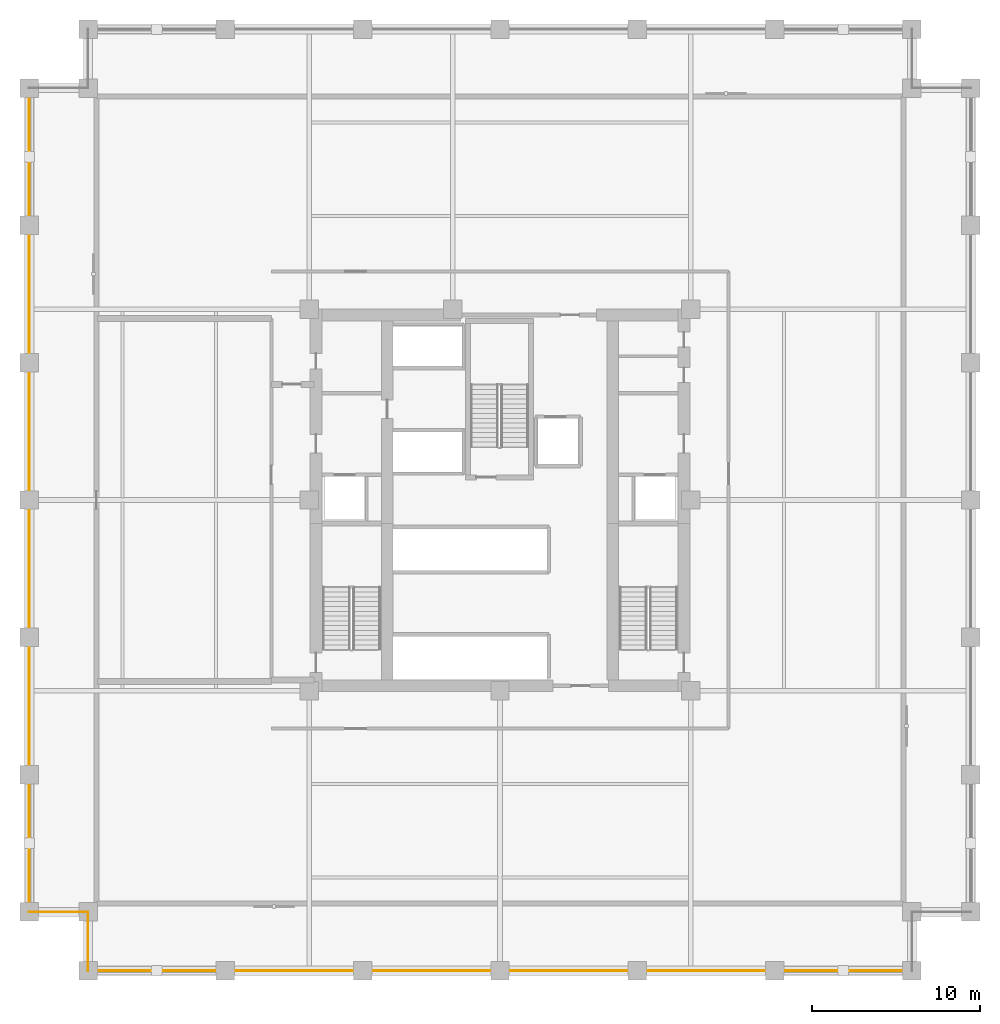
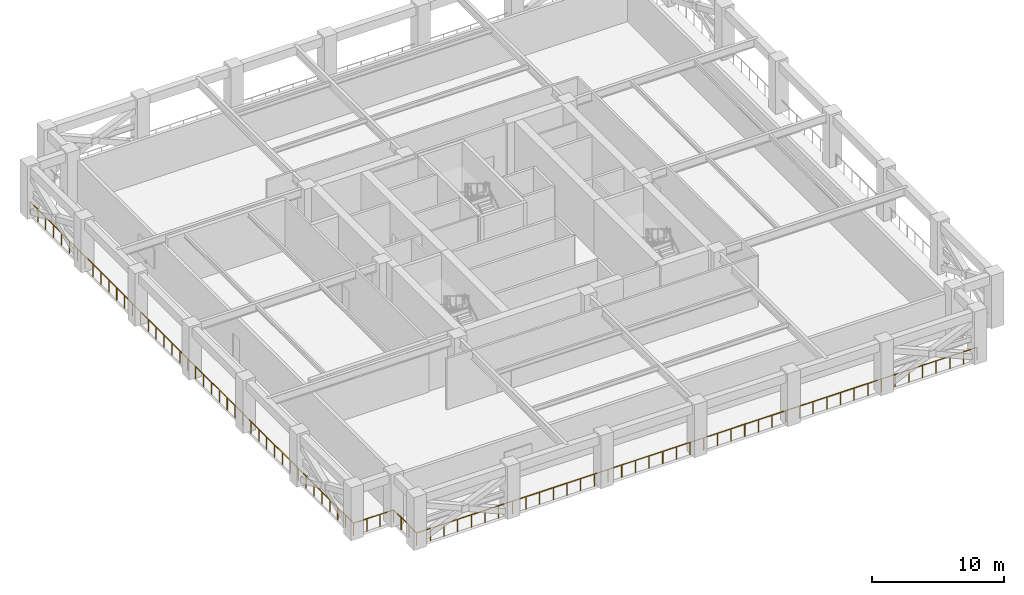
# One storey, part 6 of 11: 4 railings.
"""IFC4 building model written with IfcOpenShell, lengths in metres."""

from ifc_helpers import new_model, si_unit, direction, frame, origin, origin_2d, place, context, subcontext, project, spatial, circle, extrude, material, type_object, element, save


model = new_model("IFC4")

# Units and contexts
model_context = context("Model", 3, precision=1e-05, world=origin(), true_north=direction((0.0, 1.0)))
body_context = subcontext(model_context, "Body", "Model", "MODEL_VIEW")
ifc_project = project(units=[si_unit("LENGTHUNIT", "METRE"), si_unit("AREAUNIT", "SQUARE_METRE"), si_unit("VOLUMEUNIT", "CUBIC_METRE"), si_unit("PLANEANGLEUNIT", "RADIAN"), si_unit("MASSUNIT", "GRAM", prefix="KILO")], contexts=[model_context])

# Site, building, storey
site_placement = place(None, origin())
site = spatial("IfcSite", under=ifc_project, at=site_placement, CompositionType="ELEMENT")
building_placement = place(site_placement, origin())
building = spatial("IfcBuilding", under=site, at=building_placement, Name="Nhamokura Convention Tower", CompositionType="ELEMENT")
storey_placement = place(building_placement, frame((0.0, 0.0, 77.35009765625)))
storey = spatial("IfcBuildingStorey", under=building, at=storey_placement, Name="L18", CompositionType="ELEMENT", Elevation=77.35009765625)

# Railings
ifc_material = material(Name="Anodised bronze stainless steel", Category="steel")
railing_type = type_object("IfcRailingType", Name="TerraceGuardrail_1150", PredefinedType="GUARDRAIL", material=ifc_material)
railing_1_placement = place(storey_placement, frame((7.5, 4.0, 0.0)))
element("IfcRailing", 1, at=railing_1_placement, inside=storey, type_object=railing_type, Name="L18 Perimeter Guardrail 01", PredefinedType="GUARDRAIL", context=body_context, shape_type="SweptSolid", body=[
    extrude(circle(Radius=0.02392578125, at=origin_2d()), frame((0.0, 0.0, 1.1259765625), z_axis=(1.0, 0.0, 0.0), x_axis=(0.0, 1.0, 0.0)), (0.0, 0.0, 1.0), 49.0),
    extrude(circle(Radius=0.02099609375, at=origin_2d()), origin(), (0.0, 0.0, 1.0), 1.101806640625),
    extrude(circle(Radius=0.02099609375, at=origin_2d()), frame((1.195068359375, 0.0, 0.0)), (0.0, 0.0, 1.0), 1.101806640625),
    extrude(circle(Radius=0.02099609375, at=origin_2d()), frame((2.39013671875, 0.0, 0.0)), (0.0, 0.0, 1.0), 1.101806640625),
    extrude(circle(Radius=0.02099609375, at=origin_2d()), frame((3.58544921875, 0.0, 0.0)), (0.0, 0.0, 1.0), 1.101806640625),
    extrude(circle(Radius=0.02099609375, at=origin_2d()), frame((4.780517578125, 0.0, 0.0)), (0.0, 0.0, 1.0), 1.101806640625),
    extrude(circle(Radius=0.02099609375, at=origin_2d()), frame((5.9755859375, 0.0, 0.0)), (0.0, 0.0, 1.0), 1.101806640625),
    extrude(circle(Radius=0.02099609375, at=origin_2d()), frame((7.170654296875, 0.0, 0.0)), (0.0, 0.0, 1.0), 1.101806640625),
    extrude(circle(Radius=0.02099609375, at=origin_2d()), frame((8.365966796875, 0.0, 0.0)), (0.0, 0.0, 1.0), 1.101806640625),
    extrude(circle(Radius=0.02099609375, at=origin_2d()), frame((9.56103515625, 0.0, 0.0)), (0.0, 0.0, 1.0), 1.101806640625),
    extrude(circle(Radius=0.02099609375, at=origin_2d()), frame((10.756103515625, 0.0, 0.0)), (0.0, 0.0, 1.0), 1.101806640625),
    extrude(circle(Radius=0.02099609375, at=origin_2d()), frame((11.951171875, 0.0, 0.0)), (0.0, 0.0, 1.0), 1.101806640625),
    extrude(circle(Radius=0.02099609375, at=origin_2d()), frame((13.146240234375, 0.0, 0.0)), (0.0, 0.0, 1.0), 1.101806640625),
    extrude(circle(Radius=0.02099609375, at=origin_2d()), frame((14.341552734375, 0.0, 0.0)), (0.0, 0.0, 1.0), 1.101806640625),
    extrude(circle(Radius=0.02099609375, at=origin_2d()), frame((15.53662109375, 0.0, 0.0)), (0.0, 0.0, 1.0), 1.101806640625),
    extrude(circle(Radius=0.02099609375, at=origin_2d()), frame((16.731689453125, 0.0, 0.0)), (0.0, 0.0, 1.0), 1.101806640625),
    extrude(circle(Radius=0.02099609375, at=origin_2d()), frame((17.9267578125, 0.0, 0.0)), (0.0, 0.0, 1.0), 1.101806640625),
    extrude(circle(Radius=0.02099609375, at=origin_2d()), frame((19.1220703125, 0.0, 0.0)), (0.0, 0.0, 1.0), 1.101806640625),
    extrude(circle(Radius=0.02099609375, at=origin_2d()), frame((20.317138671875, 0.0, 0.0)), (0.0, 0.0, 1.0), 1.101806640625),
    extrude(circle(Radius=0.02099609375, at=origin_2d()), frame((21.51220703125, 0.0, 0.0)), (0.0, 0.0, 1.0), 1.101806640625),
    extrude(circle(Radius=0.02099609375, at=origin_2d()), frame((22.707275390625, 0.0, 0.0)), (0.0, 0.0, 1.0), 1.101806640625),
    extrude(circle(Radius=0.02099609375, at=origin_2d()), frame((23.90234375, 0.0, 0.0)), (0.0, 0.0, 1.0), 1.101806640625),
    extrude(circle(Radius=0.02099609375, at=origin_2d()), frame((25.09765625, 0.0, 0.0)), (0.0, 0.0, 1.0), 1.101806640625),
    extrude(circle(Radius=0.02099609375, at=origin_2d()), frame((26.292724609375, 0.0, 0.0)), (0.0, 0.0, 1.0), 1.101806640625),
    extrude(circle(Radius=0.02099609375, at=origin_2d()), frame((27.48779296875, 0.0, 0.0)), (0.0, 0.0, 1.0), 1.101806640625),
    extrude(circle(Radius=0.02099609375, at=origin_2d()), frame((28.682861328125, 0.0, 0.0)), (0.0, 0.0, 1.0), 1.101806640625),
    extrude(circle(Radius=0.02099609375, at=origin_2d()), frame((29.8779296875, 0.0, 0.0)), (0.0, 0.0, 1.0), 1.101806640625),
    extrude(circle(Radius=0.02099609375, at=origin_2d()), frame((31.0732421875, 0.0, 0.0)), (0.0, 0.0, 1.0), 1.101806640625),
    extrude(circle(Radius=0.02099609375, at=origin_2d()), frame((32.268310546875, 0.0, 0.0)), (0.0, 0.0, 1.0), 1.101806640625),
    extrude(circle(Radius=0.02099609375, at=origin_2d()), frame((33.46337890625, 0.0, 0.0)), (0.0, 0.0, 1.0), 1.101806640625),
    extrude(circle(Radius=0.02099609375, at=origin_2d()), frame((34.658447265625, 0.0, 0.0)), (0.0, 0.0, 1.0), 1.101806640625),
    extrude(circle(Radius=0.02099609375, at=origin_2d()), frame((35.853759765625, 0.0, 0.0)), (0.0, 0.0, 1.0), 1.101806640625),
    extrude(circle(Radius=0.02099609375, at=origin_2d()), frame((37.048828125, 0.0, 0.0)), (0.0, 0.0, 1.0), 1.101806640625),
    extrude(circle(Radius=0.02099609375, at=origin_2d()), frame((38.243896484375, 0.0, 0.0)), (0.0, 0.0, 1.0), 1.101806640625),
    extrude(circle(Radius=0.02099609375, at=origin_2d()), frame((39.43896484375, 0.0, 0.0)), (0.0, 0.0, 1.0), 1.101806640625),
    extrude(circle(Radius=0.02099609375, at=origin_2d()), frame((40.634033203125, 0.0, 0.0)), (0.0, 0.0, 1.0), 1.101806640625),
    extrude(circle(Radius=0.02099609375, at=origin_2d()), frame((41.829345703125, 0.0, 0.0)), (0.0, 0.0, 1.0), 1.101806640625),
    extrude(circle(Radius=0.02099609375, at=origin_2d()), frame((43.0244140625, 0.0, 0.0)), (0.0, 0.0, 1.0), 1.101806640625),
    extrude(circle(Radius=0.02099609375, at=origin_2d()), frame((44.219482421875, 0.0, 0.0)), (0.0, 0.0, 1.0), 1.101806640625),
    extrude(circle(Radius=0.02099609375, at=origin_2d()), frame((45.41455078125, 0.0, 0.0)), (0.0, 0.0, 1.0), 1.101806640625),
    extrude(circle(Radius=0.02099609375, at=origin_2d()), frame((46.60986328125, 0.0, 0.0)), (0.0, 0.0, 1.0), 1.101806640625),
    extrude(circle(Radius=0.02099609375, at=origin_2d()), frame((47.804931640625, 0.0, 0.0)), (0.0, 0.0, 1.0), 1.101806640625),
    extrude(circle(Radius=0.02099609375, at=origin_2d()), frame((49.0, 0.0, 0.0)), (0.0, 0.0, 1.0), 1.101806640625),
])
railing_2_placement = place(storey_placement, frame((4.0, 56.5, 0.0)))
element("IfcRailing", 2, at=railing_2_placement, inside=storey, type_object=railing_type, Name="L18 Perimeter Guardrail 10", PredefinedType="GUARDRAIL", context=body_context, shape_type="SweptSolid", body=[
    extrude(circle(Radius=0.02392578125, at=origin_2d()), frame((0.0, 0.0, 1.1259765625), z_axis=(0.0, -1.0, 0.0), x_axis=(1.0, 0.0, 0.0)), (0.0, 0.0, 1.0), 49.0),
    extrude(circle(Radius=0.02099609375, at=origin_2d()), origin(), (0.0, 0.0, 1.0), 1.101806640625),
    extrude(circle(Radius=0.02099609375, at=origin_2d()), frame((0.0, -1.195068359375, 0.0)), (0.0, 0.0, 1.0), 1.101806640625),
    extrude(circle(Radius=0.02099609375, at=origin_2d()), frame((0.0, -2.39013671875, 0.0)), (0.0, 0.0, 1.0), 1.101806640625),
    extrude(circle(Radius=0.02099609375, at=origin_2d()), frame((0.0, -3.58544921875, 0.0)), (0.0, 0.0, 1.0), 1.101806640625),
    extrude(circle(Radius=0.02099609375, at=origin_2d()), frame((0.0, -4.780517578125, 0.0)), (0.0, 0.0, 1.0), 1.101806640625),
    extrude(circle(Radius=0.02099609375, at=origin_2d()), frame((0.0, -5.9755859375, 0.0)), (0.0, 0.0, 1.0), 1.101806640625),
    extrude(circle(Radius=0.02099609375, at=origin_2d()), frame((0.0, -7.170654296875, 0.0)), (0.0, 0.0, 1.0), 1.101806640625),
    extrude(circle(Radius=0.02099609375, at=origin_2d()), frame((0.0, -8.365966796875, 0.0)), (0.0, 0.0, 1.0), 1.101806640625),
    extrude(circle(Radius=0.02099609375, at=origin_2d()), frame((0.0, -9.56103515625, 0.0)), (0.0, 0.0, 1.0), 1.101806640625),
    extrude(circle(Radius=0.02099609375, at=origin_2d()), frame((0.0, -10.756103515625, 0.0)), (0.0, 0.0, 1.0), 1.101806640625),
    extrude(circle(Radius=0.02099609375, at=origin_2d()), frame((0.0, -11.951171875, 0.0)), (0.0, 0.0, 1.0), 1.101806640625),
    extrude(circle(Radius=0.02099609375, at=origin_2d()), frame((0.0, -13.146240234375, 0.0)), (0.0, 0.0, 1.0), 1.101806640625),
    extrude(circle(Radius=0.02099609375, at=origin_2d()), frame((0.0, -14.341552734375, 0.0)), (0.0, 0.0, 1.0), 1.101806640625),
    extrude(circle(Radius=0.02099609375, at=origin_2d()), frame((0.0, -15.53662109375, 0.0)), (0.0, 0.0, 1.0), 1.101806640625),
    extrude(circle(Radius=0.02099609375, at=origin_2d()), frame((0.0, -16.731689453125, 0.0)), (0.0, 0.0, 1.0), 1.101806640625),
    extrude(circle(Radius=0.02099609375, at=origin_2d()), frame((0.0, -17.9267578125, 0.0)), (0.0, 0.0, 1.0), 1.101806640625),
    extrude(circle(Radius=0.02099609375, at=origin_2d()), frame((0.0, -19.1220703125, 0.0)), (0.0, 0.0, 1.0), 1.101806640625),
    extrude(circle(Radius=0.02099609375, at=origin_2d()), frame((0.0, -20.317138671875, 0.0)), (0.0, 0.0, 1.0), 1.101806640625),
    extrude(circle(Radius=0.02099609375, at=origin_2d()), frame((0.0, -21.51220703125, 0.0)), (0.0, 0.0, 1.0), 1.101806640625),
    extrude(circle(Radius=0.02099609375, at=origin_2d()), frame((0.0, -22.707275390625, 0.0)), (0.0, 0.0, 1.0), 1.101806640625),
    extrude(circle(Radius=0.02099609375, at=origin_2d()), frame((0.0, -23.90234375, 0.0)), (0.0, 0.0, 1.0), 1.101806640625),
    extrude(circle(Radius=0.02099609375, at=origin_2d()), frame((0.0, -25.09765625, 0.0)), (0.0, 0.0, 1.0), 1.101806640625),
    extrude(circle(Radius=0.02099609375, at=origin_2d()), frame((0.0, -26.292724609375, 0.0)), (0.0, 0.0, 1.0), 1.101806640625),
    extrude(circle(Radius=0.02099609375, at=origin_2d()), frame((0.0, -27.48779296875, 0.0)), (0.0, 0.0, 1.0), 1.101806640625),
    extrude(circle(Radius=0.02099609375, at=origin_2d()), frame((0.0, -28.682861328125, 0.0)), (0.0, 0.0, 1.0), 1.101806640625),
    extrude(circle(Radius=0.02099609375, at=origin_2d()), frame((0.0, -29.8779296875, 0.0)), (0.0, 0.0, 1.0), 1.101806640625),
    extrude(circle(Radius=0.02099609375, at=origin_2d()), frame((0.0, -31.0732421875, 0.0)), (0.0, 0.0, 1.0), 1.101806640625),
    extrude(circle(Radius=0.02099609375, at=origin_2d()), frame((0.0, -32.268310546875, 0.0)), (0.0, 0.0, 1.0), 1.101806640625),
    extrude(circle(Radius=0.02099609375, at=origin_2d()), frame((0.0, -33.46337890625, 0.0)), (0.0, 0.0, 1.0), 1.101806640625),
    extrude(circle(Radius=0.02099609375, at=origin_2d()), frame((0.0, -34.658447265625, 0.0)), (0.0, 0.0, 1.0), 1.101806640625),
    extrude(circle(Radius=0.02099609375, at=origin_2d()), frame((0.0, -35.853759765625, 0.0)), (0.0, 0.0, 1.0), 1.101806640625),
    extrude(circle(Radius=0.02099609375, at=origin_2d()), frame((0.0, -37.048828125, 0.0)), (0.0, 0.0, 1.0), 1.101806640625),
    extrude(circle(Radius=0.02099609375, at=origin_2d()), frame((0.0, -38.243896484375, 0.0)), (0.0, 0.0, 1.0), 1.101806640625),
    extrude(circle(Radius=0.02099609375, at=origin_2d()), frame((0.0, -39.43896484375, 0.0)), (0.0, 0.0, 1.0), 1.101806640625),
    extrude(circle(Radius=0.02099609375, at=origin_2d()), frame((0.0, -40.634033203125, 0.0)), (0.0, 0.0, 1.0), 1.101806640625),
    extrude(circle(Radius=0.02099609375, at=origin_2d()), frame((0.0, -41.829345703125, 0.0)), (0.0, 0.0, 1.0), 1.101806640625),
    extrude(circle(Radius=0.02099609375, at=origin_2d()), frame((0.0, -43.0244140625, 0.0)), (0.0, 0.0, 1.0), 1.101806640625),
    extrude(circle(Radius=0.02099609375, at=origin_2d()), frame((0.0, -44.219482421875, 0.0)), (0.0, 0.0, 1.0), 1.101806640625),
    extrude(circle(Radius=0.02099609375, at=origin_2d()), frame((0.0, -45.41455078125, 0.0)), (0.0, 0.0, 1.0), 1.101806640625),
    extrude(circle(Radius=0.02099609375, at=origin_2d()), frame((0.0, -46.60986328125, 0.0)), (0.0, 0.0, 1.0), 1.101806640625),
    extrude(circle(Radius=0.02099609375, at=origin_2d()), frame((0.0, -47.804931640625, 0.0)), (0.0, 0.0, 1.0), 1.101806640625),
    extrude(circle(Radius=0.02099609375, at=origin_2d()), frame((0.0, -49.0, 0.0)), (0.0, 0.0, 1.0), 1.101806640625),
])
railing_3_placement = place(storey_placement, frame((4.0, 7.5, 0.0)))
element("IfcRailing", 3, at=railing_3_placement, inside=storey, type_object=railing_type, Name="L18 Perimeter Guardrail 11", PredefinedType="GUARDRAIL", context=body_context, shape_type="SweptSolid", body=[
    extrude(circle(Radius=0.02392578125, at=origin_2d()), frame((0.0, 0.0, 1.1259765625), z_axis=(1.0, 0.0, 0.0), x_axis=(0.0, 1.0, 0.0)), (0.0, 0.0, 1.0), 3.5),
    extrude(circle(Radius=0.02099609375, at=origin_2d()), origin(), (0.0, 0.0, 1.0), 1.101806640625),
    extrude(circle(Radius=0.02099609375, at=origin_2d()), frame((1.166748046875, 0.0, 0.0)), (0.0, 0.0, 1.0), 1.101806640625),
    extrude(circle(Radius=0.02099609375, at=origin_2d()), frame((2.333251953125, 0.0, 0.0)), (0.0, 0.0, 1.0), 1.101806640625),
    extrude(circle(Radius=0.02099609375, at=origin_2d()), frame((3.5, 0.0, 0.0)), (0.0, 0.0, 1.0), 1.101806640625),
])
railing_4_placement = place(storey_placement, frame((7.5, 7.5, 0.0)))
element("IfcRailing", 4, at=railing_4_placement, inside=storey, type_object=railing_type, Name="L18 Perimeter Guardrail 12", PredefinedType="GUARDRAIL", context=body_context, shape_type="SweptSolid", body=[
    extrude(circle(Radius=0.02392578125, at=origin_2d()), frame((0.0, 0.0, 1.1259765625), z_axis=(0.0, -1.0, 0.0), x_axis=(1.0, 0.0, 0.0)), (0.0, 0.0, 1.0), 3.5),
    extrude(circle(Radius=0.02099609375, at=origin_2d()), origin(), (0.0, 0.0, 1.0), 1.101806640625),
    extrude(circle(Radius=0.02099609375, at=origin_2d()), frame((0.0, -1.166748046875, 0.0)), (0.0, 0.0, 1.0), 1.101806640625),
    extrude(circle(Radius=0.02099609375, at=origin_2d()), frame((0.0, -2.333251953125, 0.0)), (0.0, 0.0, 1.0), 1.101806640625),
    extrude(circle(Radius=0.02099609375, at=origin_2d()), frame((0.0, -3.5, 0.0)), (0.0, 0.0, 1.0), 1.101806640625),
])

save(model, "model.ifc")
